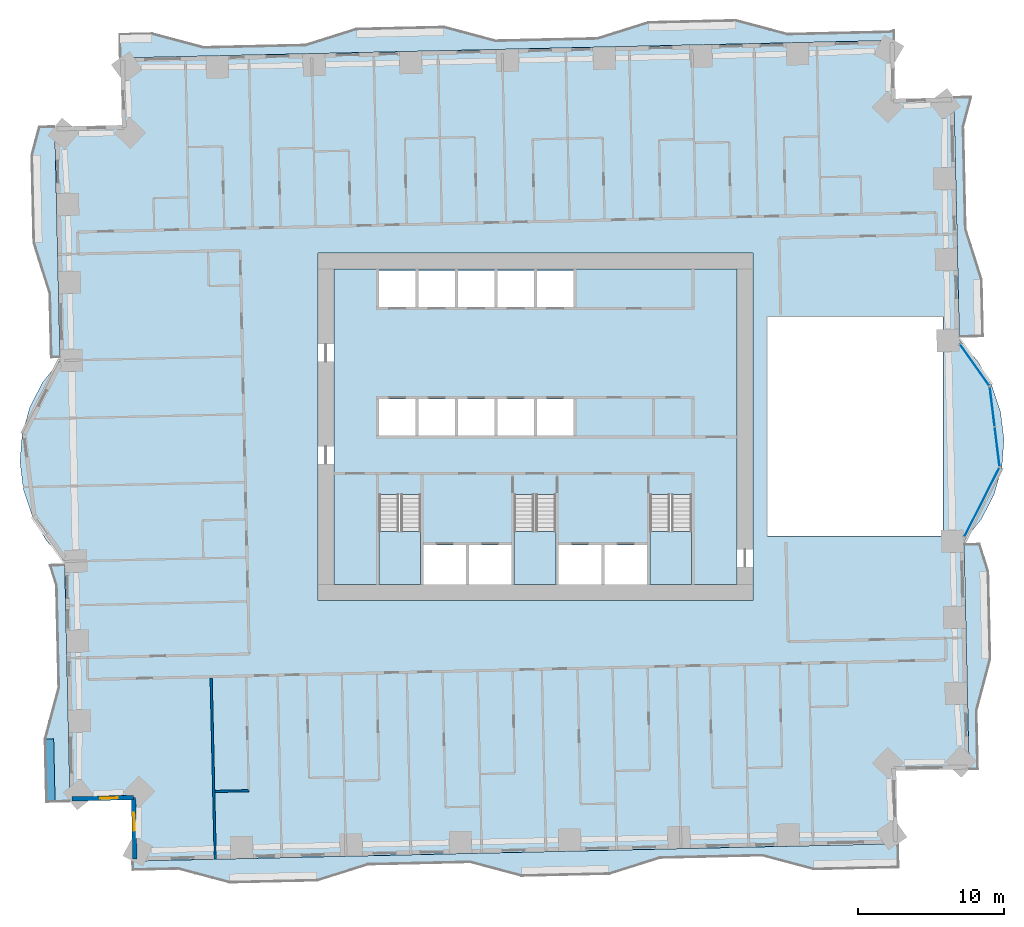
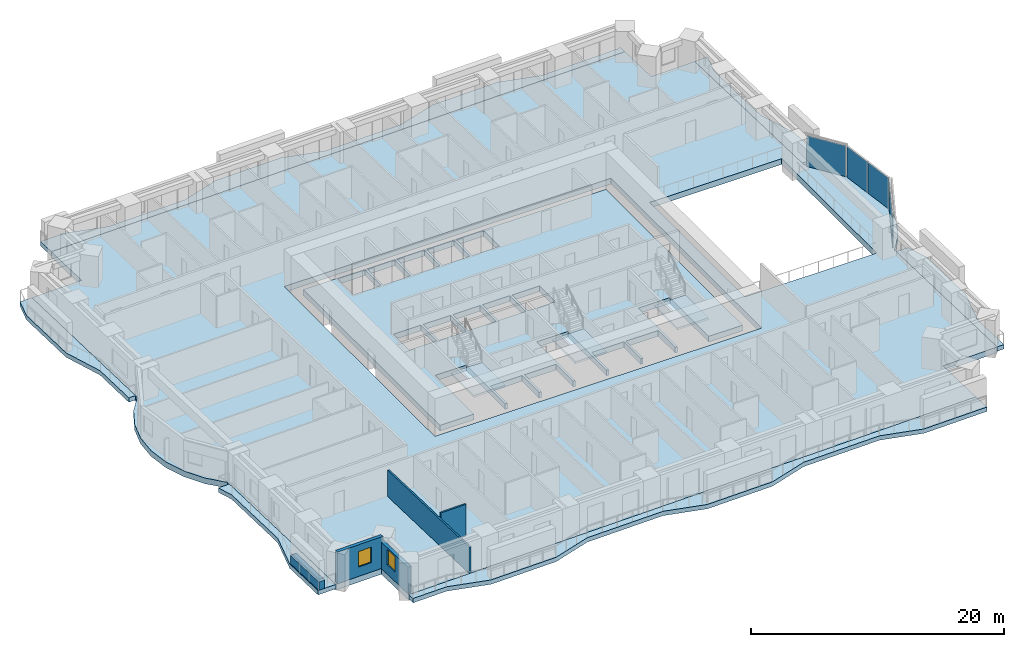
# One storey, part 4 of 16: 11 slabs, 5 walls, 4 plates, 2 windows, 2 openings, 6 elements without a shape of their own.
"""IFC4 building model written with IfcOpenShell, lengths in metres."""

import ifcopenshell
import ifcopenshell.guid

model = None  # the IFC model being written
_history = None  # IfcOwnerHistory: only IFC2X3 demands one
_inside = {}  # id of a spatial element -> (the spatial element, [elements in it])
_under = {}  # id of a project, library or spatial element -> (it, [spatial elements below it])
_declared = {}  # id of a project -> (the project, [libraries it declares])
_typed = {}  # id of a type object -> (the type object, [elements of that type])
_made_of = {}  # id of a material, layer set ... -> (it, [elements and type objects made of it])


def new_model(schema):
    """Start an empty IFC model of exactly this schema.

    Asked for "IFC4X3", IfcOpenShell would pick the latest addendum, in which some entities
    have other attributes; the version numbers below select the first issue.
    IFC2X3 requires an IfcOwnerHistory on every rooted entity: one is made here for all.
    """
    global model, _history
    if schema == "IFC4X3":
        model = ifcopenshell.file(schema_version=(4, 3, 0, 0))
    else:
        model = ifcopenshell.file(schema=schema)
    _inside.clear()
    _under.clear()
    _declared.clear()
    _typed.clear()
    _made_of.clear()
    _history = None
    if model.schema == "IFC2X3":
        org = make("IfcOrganization", Name="unknown")
        user = make(
            "IfcPersonAndOrganization",
            ThePerson=make("IfcPerson", FamilyName="unknown"),
            TheOrganization=org,
        )
        app = make(
            "IfcApplication",
            ApplicationDeveloper=org,
            Version="unknown",
            ApplicationFullName="unknown",
            ApplicationIdentifier="unknown",
        )
        _history = make(
            "IfcOwnerHistory",
            OwningUser=user,
            OwningApplication=app,
            ChangeAction="ADDED",
            CreationDate=0,
        )
    return model


def make(cls, **values):
    """One entity of the class cls with the attributes given. An attribute that is None is left unset."""
    return model.create_entity(
        cls, **{name: value for name, value in values.items() if value is not None}
    )


def rooted(cls, **values):
    """An entity with a GlobalId (a new one), such as an element, a storey or a relation."""
    return make(cls, GlobalId=ifcopenshell.guid.new(), OwnerHistory=_history, **values)


def si_unit(unit_type, name, prefix=None):
    """IfcSIUnit, for example si_unit("LENGTHUNIT", "METRE", prefix="MILLI")."""
    return make("IfcSIUnit", UnitType=unit_type, Prefix=prefix, Name=name)


def assignment(units):
    """IfcUnitAssignment: the units of a project."""
    return None if units is None else make("IfcUnitAssignment", Units=units)


def point(xyz):
    """IfcCartesianPoint."""
    return None if xyz is None else make("IfcCartesianPoint", Coordinates=xyz)


def direction(xyz):
    """IfcDirection."""
    return None if xyz is None else make("IfcDirection", DirectionRatios=xyz)


def frame(location, z_axis=None, x_axis=None):
    """IfcAxis2Placement3D, a coordinate frame: its origin and axes. An axis left out is left unset."""
    return make(
        "IfcAxis2Placement3D",
        Location=point(location),
        Axis=direction(z_axis),
        RefDirection=direction(x_axis),
    )


def frame_2d(location, x_axis=None):
    """IfcAxis2Placement2D, a coordinate frame in the plane: its origin and x axis."""
    return make(
        "IfcAxis2Placement2D", Location=point(location), RefDirection=direction(x_axis)
    )


def origin():
    """The frame at (0, 0, 0) with its axes left unset."""
    return frame((0.0, 0.0, 0.0))


def origin_2d():
    """The frame at (0, 0) in the plane with its x axis left unset."""
    return frame_2d((0.0, 0.0))


def place(relative_to, where):
    """IfcLocalPlacement: puts the frame where relative to a parent placement (None: the world)."""
    return make(
        "IfcLocalPlacement", PlacementRelTo=relative_to, RelativePlacement=where
    )


def context(
    kind, dimensions, precision=None, world=None, true_north=None, identifier=None
):
    """IfcGeometricRepresentationContext, for example the 3D "Model" context."""
    return make(
        "IfcGeometricRepresentationContext",
        ContextIdentifier=identifier,
        ContextType=kind,
        CoordinateSpaceDimension=dimensions,
        Precision=precision,
        WorldCoordinateSystem=world,
        TrueNorth=true_north,
    )


def subcontext(parent, identifier, kind, view, scale=None):
    """IfcGeometricRepresentationSubContext, for example "Body" below "Model"."""
    return make(
        "IfcGeometricRepresentationSubContext",
        ContextIdentifier=identifier,
        ContextType=kind,
        ParentContext=parent,
        TargetScale=scale,
        TargetView=view,
    )


def project(units=None, contexts=None):
    """IfcProject with its units and contexts."""
    return rooted(
        "IfcProject",
        Name="project",
        RepresentationContexts=contexts,
        UnitsInContext=assignment(units),
    )


def spatial(cls, under=None, at=None, **own):
    """A site, building, storey or space (cls), placed at a placement, below another one or the project."""
    s = rooted(cls, ObjectPlacement=at, **own)
    if under is not None:
        _under.setdefault(under.id(), (under, []))[1].append(s)
    return s


def polyline(points):
    """IfcPolyline through the points."""
    return make("IfcPolyline", Points=[point(p) for p in points])


def profile(cls, at=None, kind="AREA", **sizes):
    """A parametric profile (cls). Its sizes go by their IFC names, for example OverallWidth=200.0."""
    return make(cls, ProfileType=kind, Position=at, **sizes)


def rectangle(**sizes):
    """IfcRectangleProfileDef."""
    return profile("IfcRectangleProfileDef", **sizes)


def outline(outer, holes=None, kind="AREA"):
    """IfcArbitraryClosedProfileDef: a profile drawn as a closed curve; with holes, ...WithVoids."""
    if holes is None:
        return make("IfcArbitraryClosedProfileDef", ProfileType=kind, OuterCurve=outer)
    return make(
        "IfcArbitraryProfileDefWithVoids",
        ProfileType=kind,
        OuterCurve=outer,
        InnerCurves=holes,
    )


def extrude(swept, where, along, depth):
    """IfcExtrudedAreaSolid: the profile swept, set in the frame where, extruded along a direction by depth."""
    return make(
        "IfcExtrudedAreaSolid",
        SweptArea=swept,
        Position=where,
        ExtrudedDirection=direction(along),
        Depth=depth,
    )


def shape(context_of_items, identifier, shape_type, items):
    """IfcShapeRepresentation: the items that make up one representation, for example the "Body"."""
    return make(
        "IfcShapeRepresentation",
        ContextOfItems=context_of_items,
        RepresentationIdentifier=identifier,
        RepresentationType=shape_type,
        Items=items,
    )


def material(Name=None, Category=None):
    """IfcMaterial."""
    return make("IfcMaterial", Name=Name, Category=Category)


def layer(
    of_material, thickness, ventilated=None, Name=None, Category=None, Priority=None
):
    """IfcMaterialLayer: one layer of a wall or slab, of a material (None: an air gap)."""
    return make(
        "IfcMaterialLayer",
        Material=of_material,
        LayerThickness=thickness,
        IsVentilated=ventilated,
        Name=Name,
        Category=Category,
        Priority=Priority,
    )


def layer_set(layers, Name=None):
    """IfcMaterialLayerSet."""
    return make("IfcMaterialLayerSet", MaterialLayers=layers, LayerSetName=Name)


def made_of(thing, what):
    """Note that an element or type object is made of a material, layer set ...; save() writes the relation."""
    if what is not None:
        _made_of.setdefault(what.id(), (what, []))[1].append(thing)
    return thing


def type_object(cls, material=None, **own):
    """A type object (cls), such as IfcWallType, which elements share."""
    return made_of(rooted(cls, **own), material)


def element(
    cls,
    number,
    at=None,
    inside=None,
    cuts=None,
    type_object=None,
    material=None,
    context=None,
    identifier="Body",
    shape_type=None,
    held_by="IfcProductDefinitionShape",
    body=None,
    shapes=None,
    **own,
):
    """One element of the class cls, such as IfcWall. Its Tag is "e" and its number.

    at: its placement. inside: the storey or other place that contains it. cuts: it is an
    opening in that element (IfcRelVoidsElement). A single representation is given by context,
    identifier, shape_type and body (its items); several are given by shapes. held_by: the class
    of the entity that holds the representations. save() writes the other relations.
    """
    e = rooted(cls, Tag="e%d" % number, ObjectPlacement=at, **own)
    if body is not None:
        shapes = [shape(context, identifier, shape_type, body)]
    if shapes is not None:
        e.Representation = make(held_by, Representations=shapes)
    if inside is not None:
        _inside.setdefault(inside.id(), (inside, []))[1].append(e)
    if cuts is not None:
        rooted(
            "IfcRelVoidsElement", RelatingBuildingElement=cuts, RelatedOpeningElement=e
        )
    if type_object is not None:
        _typed.setdefault(type_object.id(), (type_object, []))[1].append(e)
    return made_of(e, material)


def fill(opening, filler):
    """IfcRelFillsElement: the door or window that sits in an opening."""
    return rooted(
        "IfcRelFillsElement",
        RelatingOpeningElement=opening,
        RelatedBuildingElement=filler,
    )


def aggregate(whole, parts):
    """IfcRelAggregates: a whole, such as a stair, and the parts it consists of."""
    return rooted("IfcRelAggregates", RelatingObject=whole, RelatedObjects=parts)


def save(model, path):
    """Write the relations noted so far, then the file.

    IfcRelAggregates (storeys below a building ...), IfcRelContainedInSpatialStructure (elements
    in a storey), IfcRelDefinesByType, IfcRelAssociatesMaterial and IfcRelDeclares: one each for
    every whole, place, type object, material and project.
    """
    for whole, parts in _under.values():
        aggregate(whole, parts)
    for where, things in _inside.values():
        rooted(
            "IfcRelContainedInSpatialStructure",
            RelatedElements=things,
            RelatingStructure=where,
        )
    for kind, things in _typed.values():
        rooted("IfcRelDefinesByType", RelatedObjects=things, RelatingType=kind)
    for what, things in _made_of.values():
        rooted("IfcRelAssociatesMaterial", RelatedObjects=things, RelatingMaterial=what)
    for by, libraries in _declared.values():
        rooted("IfcRelDeclares", RelatingContext=by, RelatedDefinitions=libraries)
    model.write(path)


model = new_model("IFC4")

# Units and contexts
model_context = context("Model", 3, precision=1e-05, world=origin(), true_north=direction((0.0, 1.0)))
body_context = subcontext(model_context, "Body", "Model", "MODEL_VIEW")
ifc_project = project(units=[si_unit("LENGTHUNIT", "METRE"), si_unit("AREAUNIT", "SQUARE_METRE"), si_unit("VOLUMEUNIT", "CUBIC_METRE"), si_unit("PLANEANGLEUNIT", "RADIAN"), si_unit("MASSUNIT", "GRAM", prefix="KILO")], contexts=[model_context])

# Site, building, storey
site_placement = place(None, origin())
site = spatial("IfcSite", under=ifc_project, at=site_placement, CompositionType="ELEMENT")
building_placement = place(site_placement, origin())
building = spatial("IfcBuilding", under=site, at=building_placement, Name="Mangrove Gate Tower", CompositionType="ELEMENT")
storey_placement = place(building_placement, frame((0.0, 0.0, 34.10009765625)))
storey = spatial("IfcBuildingStorey", under=building, at=storey_placement, Name="L07", CompositionType="ELEMENT", Elevation=34.10009765625)

# Curtain wall, plate
ifc_material_1 = material(Name="Aluminium and glass curtain wall", Category="aluminium")
curtain_wall_type = type_object("IfcCurtainWallType", Name="Atrium garden-court glazing wall", PredefinedType="NOTDEFINED", material=ifc_material_1)
curtain_wall_1_placement = place(storey_placement, origin())
curtain_wall_1 = element("IfcCurtainWall", 1, at=curtain_wall_1_placement, inside=storey, type_object=curtain_wall_type, Name="Atrium garden-court glazing E1f1", PredefinedType="NOTDEFINED")
ifc_material_2 = material(Name="Laminated low-e glass", Category="glass")
ifc_layer_1 = layer(ifc_material_2, 0.031982421875)
ifc_layer_set_1 = layer_set([ifc_layer_1], Name="Atrium garden-court glazing panel 32")
plate_type = type_object("IfcPlateType", Name="Atrium garden-court glazing panel 32", PredefinedType="CURTAIN_PANEL", material=ifc_layer_set_1)
plate_1_placement = place(storey_placement, frame((30.573974609375, -5.1728515625, 0.0), z_axis=(0.0, 0.0, 1.0), x_axis=(0.452600233136, 0.89171353526, 0.0)))
plate_1 = element("IfcPlate", 2, at=plate_1_placement, type_object=plate_type, Name="CWA panel 1.1", PredefinedType="CURTAIN_PANEL", context=body_context, shape_type="SweptSolid", body=[
    extrude(rectangle(XDim=5.258056640625, YDim=0.031982421875, at=origin_2d()), origin(), (0.0, 0.0, 1.0), 2.97998046875),
])
aggregate(curtain_wall_1, [plate_1])

# Curtain wall, plates
curtain_wall_2_placement = place(storey_placement, origin())
curtain_wall_2 = element("IfcCurtainWall", 3, at=curtain_wall_2_placement, inside=storey, type_object=curtain_wall_type, Name="Atrium garden-court glazing E1f2", PredefinedType="NOTDEFINED")
plate_2_placement = place(storey_placement, frame((31.623291015625, -1.36572265625, 0.0), z_axis=(0.0, 0.0, 1.0), x_axis=(-0.122172285885, 0.992508908051, 0.0)))
plate_2 = element("IfcPlate", 4, at=plate_2_placement, type_object=plate_type, Name="CWA panel 1.1", PredefinedType="CURTAIN_PANEL", context=body_context, shape_type="SweptSolid", body=[
    extrude(rectangle(XDim=2.681640625, YDim=0.031982421875, at=origin_2d()), origin(), (0.0, 0.0, 1.0), 2.97998046875),
])
plate_3_placement = place(storey_placement, frame((31.287109375, 1.365478515625, 0.0), z_axis=(0.0, 0.0, 1.0), x_axis=(-0.122172285885, 0.992508908051, 0.0)))
plate_3 = element("IfcPlate", 5, at=plate_3_placement, type_object=plate_type, Name="CWA panel 2.1", PredefinedType="CURTAIN_PANEL", context=body_context, shape_type="SweptSolid", body=[
    extrude(rectangle(XDim=2.681640625, YDim=0.031982421875, at=origin_2d()), origin(), (0.0, 0.0, 1.0), 2.97998046875),
])
aggregate(curtain_wall_2, [plate_2, plate_3])

# Curtain wall, plate
curtain_wall_3_placement = place(storey_placement, origin())
curtain_wall_3 = element("IfcCurtainWall", 6, at=curtain_wall_3_placement, inside=storey, type_object=curtain_wall_type, Name="Atrium garden-court glazing E1f3", PredefinedType="NOTDEFINED")
plate_4_placement = place(storey_placement, frame((30.0830078125, 4.2216796875, 0.0), z_axis=(0.0, 0.0, 1.0), x_axis=(-0.578122631637, 0.815949889877, 0.0)))
plate_4 = element("IfcPlate", 7, at=plate_4_placement, type_object=plate_type, Name="CWA panel 1.1", PredefinedType="CURTAIN_PANEL", context=body_context, shape_type="SweptSolid", body=[
    extrude(rectangle(XDim=3.4287109375, YDim=0.031982421875, at=origin_2d()), origin(), (0.0, 0.0, 1.0), 2.97998046875),
])
aggregate(curtain_wall_3, [plate_4])

# Slabs
ifc_material_3 = material(Name="Porcelain tile")
ifc_layer_2 = layer(ifc_material_3, 0.02001953125, Name="Tile finish")
ifc_material_4 = material(Name="Cement sand screed")
ifc_layer_3 = layer(ifc_material_4, 0.0400390625, Name="Screed laid to falls")
ifc_material_5 = material(Name="Bituminous waterproofing membrane")
ifc_layer_4 = layer(ifc_material_5, 0.00390625, Name="Waterproofing")
ifc_material_6 = material(Name="Concrete C40/50", Category="concrete")
ifc_layer_5 = layer(ifc_material_6, 0.340087890625, Name="Balcony structural slab")
ifc_material_7 = material(Name="Limestone", Category="masonry")
ifc_layer_6 = layer(ifc_material_7, 0.01611328125, Name="Soffit lining")
ifc_layer_set_2 = layer_set([ifc_layer_2, ifc_layer_3, ifc_layer_4, ifc_layer_5, ifc_layer_6], Name="Balcony slab 420 C40/50")
slab_type_1 = type_object("IfcSlabType", Name="Balcony slab 420 C40/50", PredefinedType="FLOOR", material=ifc_layer_set_2)
slab_1_placement = place(storey_placement, frame((0.0, 0.0, -0.420166015625)))
element("IfcSlab", 8, at=slab_1_placement, inside=storey, type_object=slab_type_1, Name="BALCONY L07 E0", PredefinedType="FLOOR", context=body_context, shape_type="SweptSolid", body=[
    extrude(outline(polyline([(30.3291015625, -23.430908203125), (30.239013671875, -19.431884765625), (31.176025390625, -15.909912109375), (31.0400390625, -9.912109375), (30.452880859375, -8.050048828125), (29.35400390625, -8.074951171875), (29.39599609375, -9.948974609375), (29.531982421875, -15.947021484375), (29.612060546875, -19.446044921875), (29.702880859375, -23.445068359375), (30.3291015625, -23.430908203125)])), origin(), (0.0, 0.0, 1.0), 0.420166015625),
])
slab_2_placement = place(storey_placement, frame((0.0, 0.0, -0.420166015625)))
element("IfcSlab", 9, at=slab_2_placement, inside=storey, type_object=slab_type_1, Name="BALCONY L07 E1", PredefinedType="FLOOR", context=body_context, shape_type="SweptSolid", body=[
    extrude(outline(polyline([(30.674072265625, 6.2099609375), (30.5869140625, 10.0830078125), (29.489990234375, 13.55908203125), (29.3310546875, 20.556884765625), (29.866943359375, 22.570068359375), (28.658935546875, 22.54296875), (28.7041015625, 20.54296875), (28.863037109375, 13.544921875), (28.943115234375, 10.0458984375), (29.030029296875, 6.172119140625), (30.674072265625, 6.2099609375)])), origin(), (0.0, 0.0, 1.0), 0.420166015625),
])
slab_3_placement = place(storey_placement, frame((0.0, 0.0, -0.420166015625)))
element("IfcSlab", 10, at=slab_3_placement, inside=storey, type_object=slab_type_1, Name="BALCONY L07 N0", PredefinedType="FLOOR", context=body_context, shape_type="SweptSolid", body=[
    extrude(outline(polyline([(24.552978515625, 27.1650390625), (24.2548828125, 27.071044921875), (17.257080078125, 26.912109375), (13.735107421875, 27.85009765625), (7.736083984375, 27.714111328125), (4.260009765625, 26.616943359375), (-1.93798828125, 26.47705078125), (-2.738037109375, 26.458984375), (-6.260009765625, 27.39599609375), (-12.259033203125, 27.260009765625), (-15.735107421875, 26.1630859375), (-22.73291015625, 26.006103515625), (-26.2548828125, 26.943115234375), (-28.4541015625, 26.89306640625), (-28.4169921875, 25.2490234375), (-26.218017578125, 25.298095703125), (-1.924072265625, 25.85009765625), (24.569091796875, 26.450927734375), (24.552978515625, 27.1650390625)])), origin(), (0.0, 0.0, 1.0), 0.420166015625),
])
slab_4_placement = place(storey_placement, frame((0.0, 0.0, -0.420166015625)))
element("IfcSlab", 11, at=slab_4_placement, inside=storey, type_object=slab_type_1, Name="BALCONY L07 W0", PredefinedType="FLOOR", context=body_context, shape_type="SweptSolid", body=[
    extrude(outline(polyline([(-34.0029296875, 20.52099609375), (-34.512939453125, 18.60888671875), (-34.3759765625, 12.610107421875), (-33.280029296875, 9.134033203125), (-33.180908203125, 4.760009765625), (-32.553955078125, 4.77490234375), (-32.653076171875, 9.14794921875), (-32.73193359375, 12.64697265625), (-32.868896484375, 18.64599609375), (-32.912109375, 20.544921875), (-34.0029296875, 20.52099609375)])), origin(), (0.0, 0.0, 1.0), 0.420166015625),
])
slab_5_placement = place(storey_placement, frame((0.0, 0.0, -0.420166015625)))
element("IfcSlab", 12, at=slab_5_placement, inside=storey, type_object=slab_type_1, Name="BALCONY L07 W1", PredefinedType="FLOOR", context=body_context, shape_type="SweptSolid", body=[
    extrude(outline(polyline([(-33.257080078125, -9.49609375), (-32.825927734375, -10.861083984375), (-32.6669921875, -17.85888671875), (-33.60498046875, -21.381103515625), (-33.508056640625, -25.679931640625), (-31.863037109375, -25.64306640625), (-31.9609375, -21.343994140625), (-32.0400390625, -17.844970703125), (-32.198974609375, -10.846923828125), (-32.22998046875, -9.471923828125), (-33.257080078125, -9.49609375)])), origin(), (0.0, 0.0, 1.0), 0.420166015625),
])
slab_6_placement = place(storey_placement, frame((0.0, 0.0, -0.420166015625)))
element("IfcSlab", 13, at=slab_6_placement, inside=storey, type_object=slab_type_1, Name="BALCONY L07 S0", PredefinedType="FLOOR", context=body_context, shape_type="SweptSolid", body=[
    extrude(outline(polyline([(-27.554931640625, -30.373046875), (-24.4560546875, -30.302978515625), (-20.93408203125, -31.240966796875), (-14.93505859375, -31.10498046875), (-11.458984375, -30.008056640625), (-4.4609375, -29.84912109375), (-0.93896484375, -30.787109375), (5.06005859375, -30.65087890625), (8.535888671875, -29.553955078125), (15.533935546875, -29.39599609375), (19.055908203125, -30.3330078125), (24.85498046875, -30.201904296875), (24.81689453125, -28.55810546875), (8.52099609375, -28.927001953125), (-27.569091796875, -29.74609375), (-27.554931640625, -30.373046875)])), origin(), (0.0, 0.0, 1.0), 0.420166015625),
])
ifc_material_8 = material(Name="Concrete C40/50", Category="concrete")
ifc_layer_7 = layer(ifc_material_8, 0.550048828125)
ifc_layer_set_3 = layer_set([ifc_layer_7], Name="Core floor slab 550 C40/50")
slab_type_2 = type_object("IfcSlabType", Name="Core floor slab 550 C40/50", PredefinedType="FLOOR", material=ifc_layer_set_3)
slab_7_placement = place(storey_placement, frame((0.0, 0.0, -0.550048828125)))
element("IfcSlab", 14, at=slab_7_placement, inside=storey, type_object=slab_type_2, Name="SLAB-L07-CORE-1", PredefinedType="FLOOR", context=body_context, shape_type="SweptSolid", body=[
    extrude(outline(polyline([(-13.800048828125, -10.800048828125), (-13.800048828125, 10.800048828125), (13.800048828125, 10.800048828125), (13.800048828125, -10.800048828125), (10.699951171875, -10.800048828125), (10.699951171875, -4.653076171875), (7.85009765625, -4.653076171875), (7.85009765625, -10.800048828125), (7.64990234375, -10.800048828125), (7.64990234375, -8.10009765625), (4.72509765625, -8.10009765625), (4.72509765625, -10.800048828125), (4.52490234375, -10.800048828125), (4.52490234375, -8.10009765625), (1.60009765625, -8.10009765625), (1.60009765625, -10.800048828125), (1.39990234375, -10.800048828125), (1.39990234375, -4.653076171875), (-1.449951171875, -4.653076171875), (-1.449951171875, -10.800048828125), (-1.64990234375, -10.800048828125), (-1.64990234375, -8.10009765625), (-4.550048828125, -8.10009765625), (-4.550048828125, -10.800048828125), (-4.75, -10.800048828125), (-4.75, -8.10009765625), (-7.64990234375, -8.10009765625), (-7.64990234375, -10.800048828125), (-7.85009765625, -10.800048828125), (-7.85009765625, -4.653076171875), (-10.699951171875, -4.653076171875), (-10.699951171875, -10.800048828125), (-13.800048828125, -10.800048828125)]), holes=[polyline([(-8.199951171875, -0.60009765625), (-8.199951171875, 1.89990234375), (-10.699951171875, 1.89990234375), (-10.699951171875, -0.60009765625), (-8.199951171875, -0.60009765625)]), polyline([(-5.5, -0.60009765625), (-5.5, 1.89990234375), (-8.0, 1.89990234375), (-8.0, -0.60009765625), (-5.5, -0.60009765625)]), polyline([(-2.800048828125, -0.60009765625), (-2.800048828125, 1.89990234375), (-5.300048828125, 1.89990234375), (-5.300048828125, -0.60009765625), (-2.800048828125, -0.60009765625)]), polyline([(-8.199951171875, 8.199951171875), (-8.199951171875, 10.699951171875), (-10.699951171875, 10.699951171875), (-10.699951171875, 8.199951171875), (-8.199951171875, 8.199951171875)]), polyline([(-5.5, 8.199951171875), (-5.5, 10.699951171875), (-8.0, 10.699951171875), (-8.0, 8.199951171875), (-5.5, 8.199951171875)]), polyline([(-2.800048828125, 8.199951171875), (-2.800048828125, 10.699951171875), (-5.300048828125, 10.699951171875), (-5.300048828125, 8.199951171875), (-2.800048828125, 8.199951171875)]), polyline([(-0.10009765625, -0.60009765625), (-0.10009765625, 1.89990234375), (-2.60009765625, 1.89990234375), (-2.60009765625, -0.60009765625), (-0.10009765625, -0.60009765625)]), polyline([(2.60009765625, -0.60009765625), (2.60009765625, 1.89990234375), (0.10009765625, 1.89990234375), (0.10009765625, -0.60009765625), (2.60009765625, -0.60009765625)]), polyline([(-2.60009765625, 8.199951171875), (-0.10009765625, 8.199951171875), (-0.10009765625, 10.699951171875), (-2.60009765625, 10.699951171875), (-2.60009765625, 8.199951171875)]), polyline([(0.10009765625, 8.199951171875), (2.60009765625, 8.199951171875), (2.60009765625, 10.699951171875), (0.10009765625, 10.699951171875), (0.10009765625, 8.199951171875)])]), origin(), (0.0, 0.0, 1.0), 0.550048828125),
])

# Stair, slab
ifc_material_9 = material(Name="Concrete C40/50", Category="concrete")
stair_type = type_object("IfcStairType", Name="Core stair 1350", PredefinedType="HALF_TURN_STAIR", material=ifc_material_9)
stair_1_placement = place(storey_placement, origin())
stair_1 = element("IfcStair", 15, at=stair_1_placement, inside=storey, type_object=stair_type, Name="L07 Stair 1", PredefinedType="HALF_TURN_STAIR")
ifc_material_10 = material(Name="Concrete C40/50", Category="concrete")
ifc_layer_8 = layer(ifc_material_10, 0.199951171875)
ifc_layer_set_4 = layer_set([ifc_layer_8], Name="Core stair landing 200")
slab_type_3 = type_object("IfcSlabType", Name="Core stair landing 200", PredefinedType="LANDING", material=ifc_layer_set_4)
slab_8_placement = place(storey_placement, frame((0.0, 0.0, 1.599853515625)))
slab_8 = element("IfcSlab", 16, at=slab_8_placement, type_object=slab_type_3, Name="ST1 landing 1", PredefinedType="LANDING", context=body_context, shape_type="SweptSolid", body=[
    extrude(outline(polyline([(-10.699951171875, -7.169921875), (-10.699951171875, -10.800048828125), (-7.85009765625, -10.800048828125), (-7.85009765625, -7.169921875), (-10.699951171875, -7.169921875)])), origin(), (0.0, 0.0, 1.0), 0.199951171875),
])
aggregate(stair_1, [slab_8])

stair_2_placement = place(storey_placement, origin())
stair_2 = element("IfcStair", 17, at=stair_2_placement, inside=storey, type_object=stair_type, Name="L07 Stair 2", PredefinedType="HALF_TURN_STAIR")
slab_9_placement = place(storey_placement, frame((0.0, 0.0, 1.599853515625)))
slab_9 = element("IfcSlab", 18, at=slab_9_placement, type_object=slab_type_3, Name="ST2 landing 1", PredefinedType="LANDING", context=body_context, shape_type="SweptSolid", body=[
    extrude(outline(polyline([(-1.449951171875, -7.169921875), (-1.449951171875, -10.800048828125), (1.39990234375, -10.800048828125), (1.39990234375, -7.169921875), (-1.449951171875, -7.169921875)])), origin(), (0.0, 0.0, 1.0), 0.199951171875),
])
aggregate(stair_2, [slab_9])

stair_3_placement = place(storey_placement, origin())
stair_3 = element("IfcStair", 19, at=stair_3_placement, inside=storey, type_object=stair_type, Name="L07 Stair 3", PredefinedType="HALF_TURN_STAIR")
slab_10_placement = place(storey_placement, frame((0.0, 0.0, 1.599853515625)))
slab_10 = element("IfcSlab", 20, at=slab_10_placement, type_object=slab_type_3, Name="ST3 landing 1", PredefinedType="LANDING", context=body_context, shape_type="SweptSolid", body=[
    extrude(outline(polyline([(7.85009765625, -7.169921875), (7.85009765625, -10.800048828125), (10.699951171875, -10.800048828125), (10.699951171875, -7.169921875), (7.85009765625, -7.169921875)])), origin(), (0.0, 0.0, 1.0), 0.199951171875),
])
aggregate(stair_3, [slab_10])

# Slab
ifc_material_11 = material(Name="Concrete C40/50", Category="concrete")
ifc_layer_9 = layer(ifc_material_11, 0.550048828125)
ifc_layer_set_5 = layer_set([ifc_layer_9], Name="Floor slab 550 C40/50")
slab_type_4 = type_object("IfcSlabType", Name="Floor slab 550 C40/50", PredefinedType="FLOOR", material=ifc_layer_set_5)
slab_11_placement = place(storey_placement, frame((0.0, 0.0, -0.550048828125)))
element("IfcSlab", 21, at=slab_11_placement, inside=storey, type_object=slab_type_4, Name="Floor slab L07", PredefinedType="FLOOR", context=body_context, shape_type="SweptSolid", body=[
    extrude(outline(polyline([(-27.5693359375, -29.746337890625), (24.8173828125, -28.5576171875), (24.703857421875, -23.558837890625), (29.70263671875, -23.445556640625), (29.34814453125, -7.82470703125), (30.544677734375, -6.33251953125), (31.42138671875, -4.632568359375), (31.944091796875, -2.79248046875), (32.09130859375, -0.885498046875), (31.857666015625, 1.012939453125), (31.252197265625, 2.827392578125), (30.299072265625, 4.48583984375), (29.0361328125, 5.92236328125), (28.658935546875, 22.542724609375), (24.659912109375, 22.451904296875), (24.569091796875, 26.450927734375), (-28.417236328125, 25.24853515625), (-28.312744140625, 20.649658203125), (-32.91162109375, 20.54541015625), (-32.548095703125, 4.524658203125), (-33.74462890625, 3.032470703125), (-34.62158203125, 1.33251953125), (-35.14404296875, -0.507568359375), (-35.291259765625, -2.41455078125), (-35.0576171875, -4.31298828125), (-34.4521484375, -6.12744140625), (-33.4990234375, -7.785888671875), (-32.236083984375, -9.222412109375), (-31.863525390625, -25.642822265625), (-27.66455078125, -25.547607421875), (-27.5693359375, -29.746337890625)]), holes=[polyline([(15.89990234375, 7.5), (27.922119140625, 7.5), (27.922119140625, -7.5), (15.89990234375, -7.5), (15.89990234375, 7.5)]), polyline([(-14.89990234375, -11.89990234375), (-14.89990234375, 11.89990234375), (14.89990234375, 11.89990234375), (14.89990234375, -11.89990234375), (-14.89990234375, -11.89990234375)])]), origin(), (0.0, 0.0, 1.0), 0.550048828125),
])

# Wall, opening, window
ifc_layer_10 = layer(ifc_material_7, 0.0400390625, Name="Limestone cladding")
ifc_material_12 = material(Name="Ventilated air gap")
ifc_layer_11 = layer(ifc_material_12, 0.0400390625, Name="Ventilated cavity")
ifc_material_13 = material(Name="Mineral wool insulation")
ifc_layer_12 = layer(ifc_material_13, 0.06005859375, Name="Insulation")
ifc_material_14 = material(Name="Breather membrane")
ifc_layer_13 = layer(ifc_material_14, 0.001953125, Name="Breather membrane")
ifc_material_15 = material(Name="Concrete C20/25 blockwork", Category="masonry")
ifc_layer_14 = layer(ifc_material_15, 0.14990234375, Name="Blockwork backing wall")
ifc_material_16 = material(Name="Gypsum plaster")
ifc_layer_15 = layer(ifc_material_16, 0.008056640625, Name="Internal plaster")
ifc_layer_set_6 = layer_set([ifc_layer_10, ifc_layer_11, ifc_layer_12, ifc_layer_13, ifc_layer_14, ifc_layer_15], Name="External wall 300 limestone cladding")
wall_type_1 = type_object("IfcWallType", Name="External wall 300 limestone cladding", PredefinedType="SOLIDWALL", material=ifc_layer_set_6)
wall_1_placement = place(storey_placement, frame((-31.717041015625, -25.489013671875, 0.0), z_axis=(0.0, 0.0, 1.0), x_axis=(0.999744320311, 0.022611811187, 0.0)))
wall_1 = element("IfcWall", 22, at=wall_1_placement, inside=storey, type_object=wall_type_1, Name="WALL-L07-S11", PredefinedType="SOLIDWALL", context=body_context, shape_type="SweptSolid", body=[
    extrude(rectangle(XDim=4.199951171875, YDim=0.300048828125, at=frame_2d((2.10009765625, 0.0))), origin(), (0.0, 0.0, 1.0), 3.0498046875),
])
opening_1_placement = place(wall_1_placement, frame((1.927001953125, 0.0, 0.89990234375)))
opening_1 = element("IfcOpeningElement", 23, at=opening_1_placement, cuts=wall_1, Name="Opening W1", PredefinedType="OPENING", context=body_context, shape_type="SweptSolid", body=[
    extrude(rectangle(XDim=1.199951171875, YDim=1.5, at=frame_2d((0.60009765625, 0.75))), frame((0.0, 0.159912109375, 0.0), z_axis=(0.0, -1.0, 0.0), x_axis=(1.0, 0.0, 0.0)), (0.0, 0.0, 1.0), 0.320068359375),
])
ifc_material_17 = material(Name="Aluminium frame with double-glazed low-e glass", Category="aluminium")
window_type = type_object("IfcWindowType", Name="Side lite 1200x1500", PartitioningType="SINGLE_PANEL", PredefinedType="WINDOW", material=ifc_material_17)
window_1_placement = place(opening_1_placement, origin())
window_1 = element("IfcWindow", 24, at=window_1_placement, inside=storey, type_object=window_type, Name="WIN-L07-S11-1", OverallHeight=1.5, OverallWidth=1.199951171875, PartitioningType="SINGLE_PANEL", PredefinedType="WINDOW", context=body_context, shape_type="SweptSolid", body=[
    extrude(rectangle(XDim=1.199951171875, YDim=1.5, at=frame_2d((0.60009765625, 0.75))), frame((0.0, 0.030029296875, 0.0), z_axis=(0.0, -1.0, 0.0), x_axis=(1.0, 0.0, 0.0)), (0.0, 0.0, 1.0), 0.06005859375),
])
fill(opening_1, window_1)

wall_2_placement = place(storey_placement, frame((-27.51806640625, -25.39404296875, 0.0), z_axis=(0.0, 0.0, 1.0), x_axis=(0.022611811187, -0.999744320311, 0.0)))
wall_2 = element("IfcWall", 25, at=wall_2_placement, inside=storey, type_object=wall_type_1, Name="WALL-L07-W12", PredefinedType="SOLIDWALL", context=body_context, shape_type="SweptSolid", body=[
    extrude(rectangle(XDim=4.199951171875, YDim=0.300048828125, at=frame_2d((2.10009765625, 0.0))), origin(), (0.0, 0.0, 1.0), 2.5498046875),
])
opening_2_placement = place(wall_2_placement, frame((1.05810546875, 0.0, 0.89990234375)))
opening_2 = element("IfcOpeningElement", 26, at=opening_2_placement, cuts=wall_2, Name="Opening W1", PredefinedType="OPENING", context=body_context, shape_type="SweptSolid", body=[
    extrude(rectangle(XDim=1.199951171875, YDim=1.5, at=frame_2d((0.60009765625, 0.75))), frame((0.0, 0.159912109375, 0.0), z_axis=(0.0, -1.0, 0.0), x_axis=(1.0, 0.0, 0.0)), (0.0, 0.0, 1.0), 0.320068359375),
])
window_2_placement = place(opening_2_placement, origin())
window_2 = element("IfcWindow", 27, at=window_2_placement, inside=storey, type_object=window_type, Name="WIN-L07-W12-1", OverallHeight=1.5, OverallWidth=1.199951171875, PartitioningType="SINGLE_PANEL", PredefinedType="WINDOW", context=body_context, shape_type="SweptSolid", body=[
    extrude(rectangle(XDim=1.199951171875, YDim=1.5, at=frame_2d((0.60009765625, 0.75))), frame((0.0, 0.030029296875, 0.0), z_axis=(0.0, -1.0, 0.0), x_axis=(1.0, 0.0, 0.0)), (0.0, 0.0, 1.0), 0.06005859375),
])
fill(opening_2, window_2)

# Walls
ifc_material_18 = material(Name="Gypsum board on steel stud, EI 60", Category="steel")
ifc_layer_16 = layer(ifc_material_18, 0.14990234375)
ifc_layer_set_7 = layer_set([ifc_layer_16], Name="Party wall 150 EI 60")
wall_type_2 = type_object("IfcWallType", Name="Party wall 150 EI 60", PredefinedType="PARTITIONING", material=ifc_layer_set_7)
wall_3_placement = place(storey_placement, frame((-21.9208984375, -29.617919921875, 0.0), z_axis=(0.0, 0.0, 1.0), x_axis=(-0.022661475803, 0.999743195783, 0.0)))
element("IfcWall", 28, at=wall_3_placement, inside=storey, type_object=wall_type_2, Name="WALL-L07-001", PredefinedType="PARTITIONING", context=body_context, shape_type="SweptSolid", body=[
    extrude(rectangle(XDim=12.400146484375, YDim=0.14990234375, at=frame_2d((6.2001953125, 0.0))), origin(), (0.0, 0.0, 1.0), 2.5498046875),
])
wall_4_placement = place(storey_placement, frame((-21.950927734375, -24.97802734375, 0.0), z_axis=(0.0, 0.0, 1.0), x_axis=(0.999740260747, 0.02279059109, 0.0)))
element("IfcWall", 29, at=wall_4_placement, inside=storey, type_object=wall_type_2, Name="WALL-L07-017", PredefinedType="PARTITIONING", context=body_context, shape_type="SweptSolid", body=[
    extrude(rectangle(XDim=2.324462890625, YDim=0.14990234375, at=frame_2d((1.162109375, 0.0))), origin(), (0.0, 0.0, 1.0), 3.0498046875),
])
ifc_material_19 = material(Name="Concrete C32/40", Category="concrete")
ifc_layer_17 = layer(ifc_material_19, 0.199951171875, Name="Planter trough wall")
ifc_layer_18 = layer(ifc_material_5, 0.0048828125, Name="Waterproofing")
ifc_material_20 = material(Name="Drainage board and gravel")
ifc_layer_19 = layer(ifc_material_20, 0.044921875, Name="Drainage layer")
ifc_material_21 = material(Name="Planting soil")
ifc_layer_20 = layer(ifc_material_21, 0.300048828125, Name="Growing medium")
ifc_layer_set_8 = layer_set([ifc_layer_17, ifc_layer_18, ifc_layer_19, ifc_layer_20], Name="Planter wall 550 C32/40")
wall_type_3 = type_object("IfcWallType", Name="Planter wall 550 C32/40", PredefinedType="USERDEFINED", material=ifc_layer_set_8)
wall_5_placement = place(storey_placement, frame((-33.1630859375, -25.672119140625, 0.0), z_axis=(0.0, 0.0, 1.0), x_axis=(-0.022539561751, 0.999745951808, 0.0)))
element("IfcWall", 30, at=wall_5_placement, inside=storey, type_object=wall_type_3, Name="PLANTER L07 W1.1", ObjectType="PLANTER", PredefinedType="USERDEFINED", context=body_context, shape_type="SweptSolid", body=[
    extrude(rectangle(XDim=4.300048828125, YDim=0.550048828125, at=frame_2d((2.14990234375, 0.0))), origin(), (0.0, 0.0, 1.0), 0.7998046875),
])

save(model, "model.ifc")
